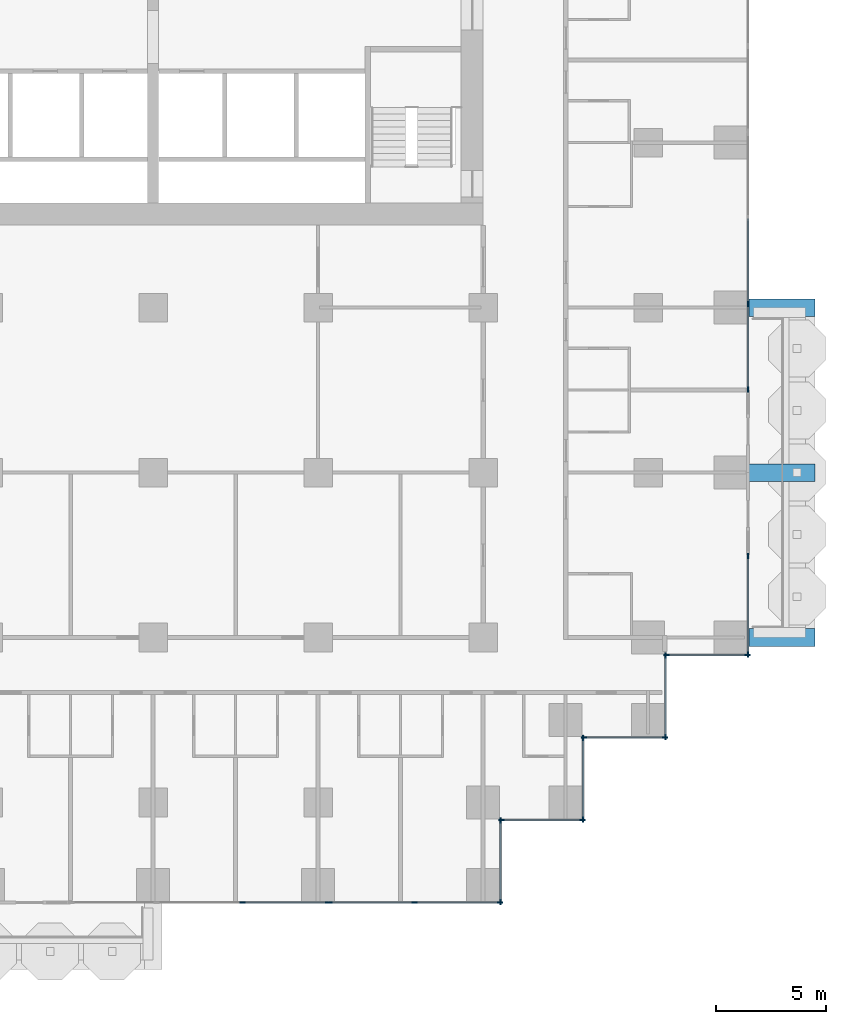
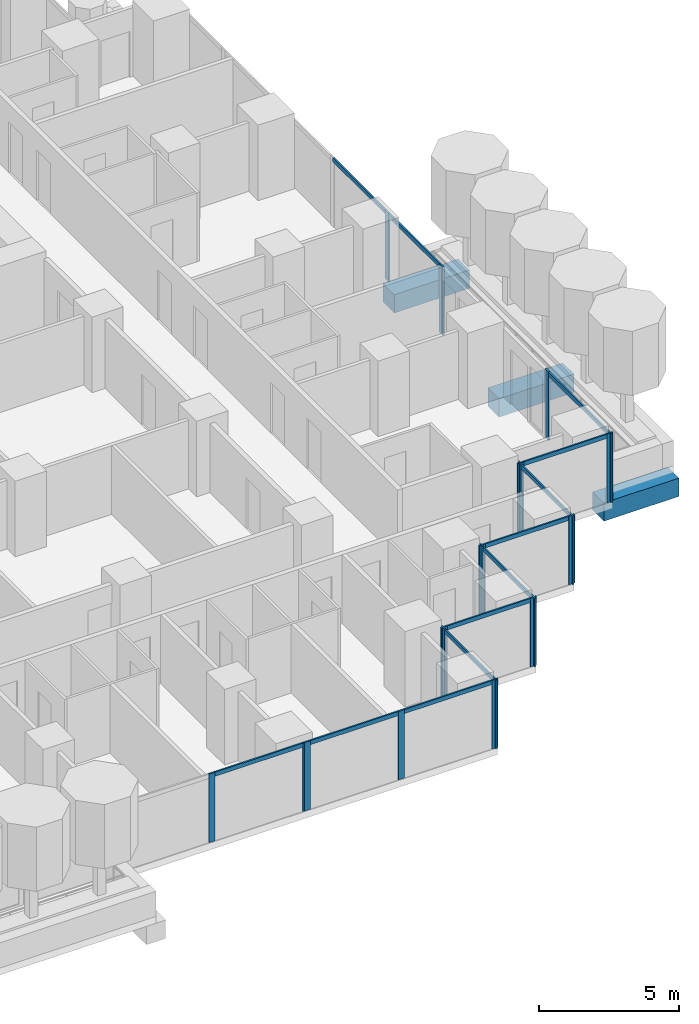
# One storey, part 4 of 19: 33 members, 3 beams, 10 elements without a shape of their own.
"""IFC4 building model written with IfcOpenShell, lengths in metres."""

from ifc_helpers import new_model, si_unit, direction, frame, origin, origin_2d, place, context, subcontext, project, spatial, rectangle, extrude, material, material_profile, profile_set, type_object, element, aggregate, save


model = new_model("IFC4")

# Units and contexts
model_context = context("Model", 3, precision=1e-05, world=origin(), true_north=direction((0.0, 1.0)))
body_context = subcontext(model_context, "Body", "Model", "MODEL_VIEW")
ifc_project = project(units=[si_unit("LENGTHUNIT", "METRE"), si_unit("AREAUNIT", "SQUARE_METRE"), si_unit("VOLUMEUNIT", "CUBIC_METRE"), si_unit("PLANEANGLEUNIT", "RADIAN"), si_unit("MASSUNIT", "GRAM", prefix="KILO")], contexts=[model_context])

# Site, building, storey
site_placement = place(None, origin())
site = spatial("IfcSite", under=ifc_project, at=site_placement, CompositionType="ELEMENT")
building_placement = place(site_placement, origin())
building = spatial("IfcBuilding", under=site, at=building_placement, Name="Pilkhan Gate Tower", CompositionType="ELEMENT")
storey_placement = place(building_placement, frame((0.0, 0.0, 95.60009765625)))
storey = spatial("IfcBuildingStorey", under=building, at=storey_placement, Name="L23", CompositionType="ELEMENT", Elevation=95.60009765625)

# Beams
ifc_material_1 = material(Name="Concrete C50/60", Category="concrete")
ifc_material_profile_1 = material_profile(ifc_material_1, rectangle(XDim=0.800048828125, YDim=0.800048828125, at=origin_2d()), Name="RC 800x800")
ifc_profile_set_1 = profile_set([ifc_material_profile_1], Name="Concrete C50/60")
beam_type = type_object("IfcBeamType", Name="Cantilever beam CB2 RC 800x800 C50/60", PredefinedType="BEAM", material=ifc_profile_set_1)
for number, where, z_axis, x_axis, name in (
    (1, (102.0, 52.5, -0.7001953125), (1.0, 0.0, 0.0), (0.0, 1.0, 0.0), "Balcony beam E.1 L23"),
    (2, (102.0, 60.0, -0.7001953125), (1.0, 0.0, 0.0), (0.0, 1.0, 0.0), "Balcony beam E.2 L23"),
    (3, (102.0, 67.5, -0.7001953125), (1.0, 0.0, 0.0), (0.0, 1.0, 0.0), "Balcony beam E.3 L23"),
):
    element("IfcBeam", number, at=place(storey_placement, frame(where, z_axis=z_axis, x_axis=x_axis)), inside=storey, type_object=beam_type, Name=name, PredefinedType="BEAM", context=body_context, shape_type="SweptSolid", body=[
        extrude(rectangle(XDim=0.800048828125, YDim=0.800048828125, at=origin_2d()), origin(), (0.0, 0.0, 1.0), 3.10009765625),
    ])

# Curtain wall, members
ifc_material_2 = material(Name="Pale anodised aluminium, clear low-iron double glazing", Category="aluminium")
curtain_wall_type = type_object("IfcCurtainWallType", Name="Hotel unitised curtain wall CW-H", PredefinedType="USERDEFINED", material=ifc_material_2)
curtain_wall_1_placement = place(storey_placement, origin())
curtain_wall_1 = element("IfcCurtainWall", 4, at=curtain_wall_1_placement, inside=storey, type_object=curtain_wall_type, Name="Hotel unitised curtain wall CW-H L23 E", ObjectType="UNITISED CURTAIN WALL", PredefinedType="USERDEFINED")
ifc_material_3 = material(Name="Pale anodised aluminium", Category="aluminium")
ifc_material_profile_2 = material_profile(ifc_material_3, rectangle(XDim=0.06494140625, YDim=0.25, at=origin_2d()), Name="Mullion 250x65")
ifc_profile_set_2 = profile_set([ifc_material_profile_2], Name="Pale anodised aluminium")
member_type_1 = type_object("IfcMemberType", Name="Mullion CW-H 250x65", PredefinedType="MULLION", material=ifc_profile_set_2)
member_1_placement = place(storey_placement, frame((102.044921875, 51.737548828125, 0.0), z_axis=(0.0, 0.0, 1.0), x_axis=(-1.0, 0.0, 0.0)))
member_1 = element("IfcMember", 5, at=member_1_placement, type_object=member_type_1, Name="CW-H mullion 1", PredefinedType="MULLION", context=body_context, shape_type="SweptSolid", body=[
    extrude(rectangle(XDim=0.06494140625, YDim=0.25, at=origin_2d()), origin(), (0.0, 0.0, 1.0), 3.0),
])
member_2_placement = place(storey_placement, frame((102.044921875, 56.217529296875, 0.0), z_axis=(0.0, 0.0, 1.0), x_axis=(-1.0, 0.0, 0.0)))
member_2 = element("IfcMember", 6, at=member_2_placement, type_object=member_type_1, Name="CW-H mullion 2", PredefinedType="MULLION", context=body_context, shape_type="SweptSolid", body=[
    extrude(rectangle(XDim=0.06494140625, YDim=0.25, at=origin_2d()), origin(), (0.0, 0.0, 1.0), 3.0),
])

curtain_wall_2_placement = place(storey_placement, origin())
curtain_wall_2 = element("IfcCurtainWall", 7, at=curtain_wall_2_placement, inside=storey, type_object=curtain_wall_type, Name="Hotel unitised curtain wall CW-H L23 E", ObjectType="UNITISED CURTAIN WALL", PredefinedType="USERDEFINED")
member_3_placement = place(storey_placement, frame((102.044921875, 63.782470703125, 0.0), z_axis=(0.0, 0.0, 1.0), x_axis=(-1.0, 0.0, 0.0)))
member_3 = element("IfcMember", 8, at=member_3_placement, type_object=member_type_1, Name="CW-H mullion 1", PredefinedType="MULLION", context=body_context, shape_type="SweptSolid", body=[
    extrude(rectangle(XDim=0.06494140625, YDim=0.25, at=origin_2d()), origin(), (0.0, 0.0, 1.0), 3.0),
])
member_4_placement = place(storey_placement, frame((102.044921875, 67.658935546875, 0.0), z_axis=(0.0, 0.0, 1.0), x_axis=(-1.0, 0.0, 0.0)))
member_4 = element("IfcMember", 9, at=member_4_placement, type_object=member_type_1, Name="CW-H mullion 2", PredefinedType="MULLION", context=body_context, shape_type="SweptSolid", body=[
    extrude(rectangle(XDim=0.06494140625, YDim=0.25, at=origin_2d()), origin(), (0.0, 0.0, 1.0), 3.0),
])

curtain_wall_3_placement = place(storey_placement, origin())
curtain_wall_3 = element("IfcCurtainWall", 10, at=curtain_wall_3_placement, inside=storey, type_object=curtain_wall_type, Name="Hotel unitised curtain wall CW-H L23 S", ObjectType="UNITISED CURTAIN WALL", PredefinedType="USERDEFINED")
member_5_placement = place(storey_placement, frame((79.068115234375, 40.455078125, 0.0), z_axis=(0.0, 0.0, 1.0), x_axis=(0.0, 1.0, 0.0)))
member_5 = element("IfcMember", 11, at=member_5_placement, type_object=member_type_1, Name="CW-H mullion 3", PredefinedType="MULLION", context=body_context, shape_type="SweptSolid", body=[
    extrude(rectangle(XDim=0.06494140625, YDim=0.25, at=origin_2d()), origin(), (0.0, 0.0, 1.0), 3.0),
])
member_6_placement = place(storey_placement, frame((82.944580078125, 40.455078125, 0.0), z_axis=(0.0, 0.0, 1.0), x_axis=(0.0, 1.0, 0.0)))
member_6 = element("IfcMember", 12, at=member_6_placement, type_object=member_type_1, Name="CW-H mullion 4", PredefinedType="MULLION", context=body_context, shape_type="SweptSolid", body=[
    extrude(rectangle(XDim=0.06494140625, YDim=0.25, at=origin_2d()), origin(), (0.0, 0.0, 1.0), 3.0),
])

curtain_wall_4_placement = place(storey_placement, origin())
curtain_wall_4 = element("IfcCurtainWall", 13, at=curtain_wall_4_placement, inside=storey, type_object=curtain_wall_type, Name="Hotel unitised curtain wall CW-H L23 S", ObjectType="UNITISED CURTAIN WALL", PredefinedType="USERDEFINED")
member_7_placement = place(storey_placement, frame((83.009521484375, 40.455078125, 0.0), z_axis=(0.0, 0.0, 1.0), x_axis=(0.0, 1.0, 0.0)))
member_7 = element("IfcMember", 14, at=member_7_placement, type_object=member_type_1, Name="CW-H mullion 1", PredefinedType="MULLION", context=body_context, shape_type="SweptSolid", body=[
    extrude(rectangle(XDim=0.06494140625, YDim=0.25, at=origin_2d()), origin(), (0.0, 0.0, 1.0), 3.0),
])
member_8_placement = place(storey_placement, frame((86.885986328125, 40.455078125, 0.0), z_axis=(0.0, 0.0, 1.0), x_axis=(0.0, 1.0, 0.0)))
member_8 = element("IfcMember", 15, at=member_8_placement, type_object=member_type_1, Name="CW-H mullion 2", PredefinedType="MULLION", context=body_context, shape_type="SweptSolid", body=[
    extrude(rectangle(XDim=0.06494140625, YDim=0.25, at=origin_2d()), origin(), (0.0, 0.0, 1.0), 3.0),
])
member_9_placement = place(storey_placement, frame((90.762451171875, 40.455078125, 0.0), z_axis=(0.0, 0.0, 1.0), x_axis=(0.0, 1.0, 0.0)))
member_9 = element("IfcMember", 16, at=member_9_placement, type_object=member_type_1, Name="CW-H mullion 3", PredefinedType="MULLION", context=body_context, shape_type="SweptSolid", body=[
    extrude(rectangle(XDim=0.06494140625, YDim=0.25, at=origin_2d()), origin(), (0.0, 0.0, 1.0), 3.0),
])

curtain_wall_5_placement = place(storey_placement, origin())
curtain_wall_5 = element("IfcCurtainWall", 17, at=curtain_wall_5_placement, inside=storey, type_object=curtain_wall_type, Name="Hotel unitised curtain wall CW-H L23 E", ObjectType="UNITISED CURTAIN WALL", PredefinedType="USERDEFINED")
member_10_placement = place(storey_placement, frame((90.794921875, 40.487548828125, 0.0), z_axis=(0.0, 0.0, 1.0), x_axis=(-1.0, 0.0, 0.0)))
member_10 = element("IfcMember", 18, at=member_10_placement, type_object=member_type_1, Name="CW-H mullion 1", PredefinedType="MULLION", context=body_context, shape_type="SweptSolid", body=[
    extrude(rectangle(XDim=0.06494140625, YDim=0.25, at=origin_2d()), origin(), (0.0, 0.0, 1.0), 3.0),
])
member_11_placement = place(storey_placement, frame((90.794921875, 44.172607421875, 0.0), z_axis=(0.0, 0.0, 1.0), x_axis=(-1.0, 0.0, 0.0)))
member_11 = element("IfcMember", 19, at=member_11_placement, type_object=member_type_1, Name="CW-H mullion 2", PredefinedType="MULLION", context=body_context, shape_type="SweptSolid", body=[
    extrude(rectangle(XDim=0.06494140625, YDim=0.25, at=origin_2d()), origin(), (0.0, 0.0, 1.0), 3.0),
])

curtain_wall_6_placement = place(storey_placement, origin())
curtain_wall_6 = element("IfcCurtainWall", 20, at=curtain_wall_6_placement, inside=storey, type_object=curtain_wall_type, Name="Hotel unitised curtain wall CW-H L23 S", ObjectType="UNITISED CURTAIN WALL", PredefinedType="USERDEFINED")
member_12_placement = place(storey_placement, frame((90.827392578125, 44.205078125, 0.0), z_axis=(0.0, 0.0, 1.0), x_axis=(0.0, 1.0, 0.0)))
member_12 = element("IfcMember", 21, at=member_12_placement, type_object=member_type_1, Name="CW-H mullion 1", PredefinedType="MULLION", context=body_context, shape_type="SweptSolid", body=[
    extrude(rectangle(XDim=0.06494140625, YDim=0.25, at=origin_2d()), origin(), (0.0, 0.0, 1.0), 3.0),
])
member_13_placement = place(storey_placement, frame((94.512451171875, 44.205078125, 0.0), z_axis=(0.0, 0.0, 1.0), x_axis=(0.0, 1.0, 0.0)))
member_13 = element("IfcMember", 22, at=member_13_placement, type_object=member_type_1, Name="CW-H mullion 2", PredefinedType="MULLION", context=body_context, shape_type="SweptSolid", body=[
    extrude(rectangle(XDim=0.06494140625, YDim=0.25, at=origin_2d()), origin(), (0.0, 0.0, 1.0), 3.0),
])

curtain_wall_7_placement = place(storey_placement, origin())
curtain_wall_7 = element("IfcCurtainWall", 23, at=curtain_wall_7_placement, inside=storey, type_object=curtain_wall_type, Name="Hotel unitised curtain wall CW-H L23 E", ObjectType="UNITISED CURTAIN WALL", PredefinedType="USERDEFINED")
member_14_placement = place(storey_placement, frame((94.544921875, 44.237548828125, 0.0), z_axis=(0.0, 0.0, 1.0), x_axis=(-1.0, 0.0, 0.0)))
member_14 = element("IfcMember", 24, at=member_14_placement, type_object=member_type_1, Name="CW-H mullion 1", PredefinedType="MULLION", context=body_context, shape_type="SweptSolid", body=[
    extrude(rectangle(XDim=0.06494140625, YDim=0.25, at=origin_2d()), origin(), (0.0, 0.0, 1.0), 3.0),
])
member_15_placement = place(storey_placement, frame((94.544921875, 47.922607421875, 0.0), z_axis=(0.0, 0.0, 1.0), x_axis=(-1.0, 0.0, 0.0)))
member_15 = element("IfcMember", 25, at=member_15_placement, type_object=member_type_1, Name="CW-H mullion 2", PredefinedType="MULLION", context=body_context, shape_type="SweptSolid", body=[
    extrude(rectangle(XDim=0.06494140625, YDim=0.25, at=origin_2d()), origin(), (0.0, 0.0, 1.0), 3.0),
])

curtain_wall_8_placement = place(storey_placement, origin())
curtain_wall_8 = element("IfcCurtainWall", 26, at=curtain_wall_8_placement, inside=storey, type_object=curtain_wall_type, Name="Hotel unitised curtain wall CW-H L23 S", ObjectType="UNITISED CURTAIN WALL", PredefinedType="USERDEFINED")
member_16_placement = place(storey_placement, frame((94.577392578125, 47.955078125, 0.0), z_axis=(0.0, 0.0, 1.0), x_axis=(0.0, 1.0, 0.0)))
member_16 = element("IfcMember", 27, at=member_16_placement, type_object=member_type_1, Name="CW-H mullion 1", PredefinedType="MULLION", context=body_context, shape_type="SweptSolid", body=[
    extrude(rectangle(XDim=0.06494140625, YDim=0.25, at=origin_2d()), origin(), (0.0, 0.0, 1.0), 3.0),
])
member_17_placement = place(storey_placement, frame((98.262451171875, 47.955078125, 0.0), z_axis=(0.0, 0.0, 1.0), x_axis=(0.0, 1.0, 0.0)))
member_17 = element("IfcMember", 28, at=member_17_placement, type_object=member_type_1, Name="CW-H mullion 2", PredefinedType="MULLION", context=body_context, shape_type="SweptSolid", body=[
    extrude(rectangle(XDim=0.06494140625, YDim=0.25, at=origin_2d()), origin(), (0.0, 0.0, 1.0), 3.0),
])

curtain_wall_9_placement = place(storey_placement, origin())
curtain_wall_9 = element("IfcCurtainWall", 29, at=curtain_wall_9_placement, inside=storey, type_object=curtain_wall_type, Name="Hotel unitised curtain wall CW-H L23 E", ObjectType="UNITISED CURTAIN WALL", PredefinedType="USERDEFINED")
member_18_placement = place(storey_placement, frame((98.294921875, 47.987548828125, 0.0), z_axis=(0.0, 0.0, 1.0), x_axis=(-1.0, 0.0, 0.0)))
member_18 = element("IfcMember", 30, at=member_18_placement, type_object=member_type_1, Name="CW-H mullion 1", PredefinedType="MULLION", context=body_context, shape_type="SweptSolid", body=[
    extrude(rectangle(XDim=0.06494140625, YDim=0.25, at=origin_2d()), origin(), (0.0, 0.0, 1.0), 3.0),
])
member_19_placement = place(storey_placement, frame((98.294921875, 51.672607421875, 0.0), z_axis=(0.0, 0.0, 1.0), x_axis=(-1.0, 0.0, 0.0)))
member_19 = element("IfcMember", 31, at=member_19_placement, type_object=member_type_1, Name="CW-H mullion 2", PredefinedType="MULLION", context=body_context, shape_type="SweptSolid", body=[
    extrude(rectangle(XDim=0.06494140625, YDim=0.25, at=origin_2d()), origin(), (0.0, 0.0, 1.0), 3.0),
])

curtain_wall_10_placement = place(storey_placement, origin())
curtain_wall_10 = element("IfcCurtainWall", 32, at=curtain_wall_10_placement, inside=storey, type_object=curtain_wall_type, Name="Hotel unitised curtain wall CW-H L23 S", ObjectType="UNITISED CURTAIN WALL", PredefinedType="USERDEFINED")
member_20_placement = place(storey_placement, frame((98.327392578125, 51.705078125, 0.0), z_axis=(0.0, 0.0, 1.0), x_axis=(0.0, 1.0, 0.0)))
member_20 = element("IfcMember", 33, at=member_20_placement, type_object=member_type_1, Name="CW-H mullion 1", PredefinedType="MULLION", context=body_context, shape_type="SweptSolid", body=[
    extrude(rectangle(XDim=0.06494140625, YDim=0.25, at=origin_2d()), origin(), (0.0, 0.0, 1.0), 3.0),
])
member_21_placement = place(storey_placement, frame((102.012451171875, 51.705078125, 0.0), z_axis=(0.0, 0.0, 1.0), x_axis=(0.0, 1.0, 0.0)))
member_21 = element("IfcMember", 34, at=member_21_placement, type_object=member_type_1, Name="CW-H mullion 2", PredefinedType="MULLION", context=body_context, shape_type="SweptSolid", body=[
    extrude(rectangle(XDim=0.06494140625, YDim=0.25, at=origin_2d()), origin(), (0.0, 0.0, 1.0), 3.0),
])

# Member
ifc_material_profile_3 = material_profile(ifc_material_3, rectangle(XDim=0.06494140625, YDim=0.179931640625, at=origin_2d()), Name="Transom 180x65")
ifc_profile_set_3 = profile_set([ifc_material_profile_3], Name="Pale anodised aluminium")
member_type_2 = type_object("IfcMemberType", Name="Transom CW-H 180x65", PredefinedType="USERDEFINED", material=ifc_profile_set_3)
member_22_placement = place(storey_placement, frame((102.044921875, 51.77001953125, 2.909912109375), z_axis=(0.0, 1.0, 0.0), x_axis=(-1.0, 0.0, 0.0)))
member_22 = element("IfcMember", 35, at=member_22_placement, type_object=member_type_2, Name="CW-H transom 1", ObjectType="TRANSOM", PredefinedType="USERDEFINED", context=body_context, shape_type="SweptSolid", body=[
    extrude(rectangle(XDim=0.06494140625, YDim=0.179931640625, at=origin_2d()), origin(), (0.0, 0.0, 1.0), 4.4150390625),
])

aggregate(curtain_wall_1, [member_1, member_2, member_22])

member_23_placement = place(storey_placement, frame((102.044921875, 63.81494140625, 2.909912109375), z_axis=(0.0, 1.0, 0.0), x_axis=(-1.0, 0.0, 0.0)))
member_23 = element("IfcMember", 36, at=member_23_placement, type_object=member_type_2, Name="CW-H transom 1", ObjectType="TRANSOM", PredefinedType="USERDEFINED", context=body_context, shape_type="SweptSolid", body=[
    extrude(rectangle(XDim=0.06494140625, YDim=0.179931640625, at=origin_2d()), origin(), (0.0, 0.0, 1.0), 3.8115234375),
])

member_24_placement = place(storey_placement, frame((102.044921875, 67.69140625, 2.909912109375), z_axis=(0.0, 1.0, 0.0), x_axis=(-1.0, 0.0, 0.0)))
member_24 = element("IfcMember", 37, at=member_24_placement, type_object=member_type_2, Name="CW-H transom 2", ObjectType="TRANSOM", PredefinedType="USERDEFINED", context=body_context, shape_type="SweptSolid", body=[
    extrude(rectangle(XDim=0.06494140625, YDim=0.179931640625, at=origin_2d()), origin(), (0.0, 0.0, 1.0), 3.843994140625),
])

aggregate(curtain_wall_2, [member_3, member_4, member_23, member_24])

member_25_placement = place(storey_placement, frame((79.1005859375, 40.455078125, 2.909912109375), z_axis=(1.0, 0.0, 0.0), x_axis=(0.0, 1.0, 0.0)))
member_25 = element("IfcMember", 38, at=member_25_placement, type_object=member_type_2, Name="CW-H transom 3", ObjectType="TRANSOM", PredefinedType="USERDEFINED", context=body_context, shape_type="SweptSolid", body=[
    extrude(rectangle(XDim=0.06494140625, YDim=0.179931640625, at=origin_2d()), origin(), (0.0, 0.0, 1.0), 3.8115234375),
])

aggregate(curtain_wall_3, [member_5, member_6, member_25])

member_26_placement = place(storey_placement, frame((83.0419921875, 40.455078125, 2.909912109375), z_axis=(1.0, 0.0, 0.0), x_axis=(0.0, 1.0, 0.0)))
member_26 = element("IfcMember", 39, at=member_26_placement, type_object=member_type_2, Name="CW-H transom 1", ObjectType="TRANSOM", PredefinedType="USERDEFINED", context=body_context, shape_type="SweptSolid", body=[
    extrude(rectangle(XDim=0.06494140625, YDim=0.179931640625, at=origin_2d()), origin(), (0.0, 0.0, 1.0), 3.8115234375),
])

member_27_placement = place(storey_placement, frame((86.91845703125, 40.455078125, 2.909912109375), z_axis=(1.0, 0.0, 0.0), x_axis=(0.0, 1.0, 0.0)))
member_27 = element("IfcMember", 40, at=member_27_placement, type_object=member_type_2, Name="CW-H transom 2", ObjectType="TRANSOM", PredefinedType="USERDEFINED", context=body_context, shape_type="SweptSolid", body=[
    extrude(rectangle(XDim=0.06494140625, YDim=0.179931640625, at=origin_2d()), origin(), (0.0, 0.0, 1.0), 3.8115234375),
])

aggregate(curtain_wall_4, [member_7, member_8, member_9, member_26, member_27])

member_28_placement = place(storey_placement, frame((90.794921875, 40.52001953125, 2.909912109375), z_axis=(0.0, 1.0, 0.0), x_axis=(-1.0, 0.0, 0.0)))
member_28 = element("IfcMember", 41, at=member_28_placement, type_object=member_type_2, Name="CW-H transom 1", ObjectType="TRANSOM", PredefinedType="USERDEFINED", context=body_context, shape_type="SweptSolid", body=[
    extrude(rectangle(XDim=0.06494140625, YDim=0.179931640625, at=origin_2d()), origin(), (0.0, 0.0, 1.0), 3.619873046875),
])

aggregate(curtain_wall_5, [member_10, member_11, member_28])

member_29_placement = place(storey_placement, frame((90.860107421875, 44.205078125, 2.909912109375), z_axis=(1.0, 0.0, 0.0), x_axis=(0.0, 1.0, 0.0)))
member_29 = element("IfcMember", 42, at=member_29_placement, type_object=member_type_2, Name="CW-H transom 1", ObjectType="TRANSOM", PredefinedType="USERDEFINED", context=body_context, shape_type="SweptSolid", body=[
    extrude(rectangle(XDim=0.06494140625, YDim=0.179931640625, at=origin_2d()), origin(), (0.0, 0.0, 1.0), 3.619873046875),
])

aggregate(curtain_wall_6, [member_12, member_13, member_29])

member_30_placement = place(storey_placement, frame((94.544921875, 44.27001953125, 2.909912109375), z_axis=(0.0, 1.0, 0.0), x_axis=(-1.0, 0.0, 0.0)))
member_30 = element("IfcMember", 43, at=member_30_placement, type_object=member_type_2, Name="CW-H transom 1", ObjectType="TRANSOM", PredefinedType="USERDEFINED", context=body_context, shape_type="SweptSolid", body=[
    extrude(rectangle(XDim=0.06494140625, YDim=0.179931640625, at=origin_2d()), origin(), (0.0, 0.0, 1.0), 3.619873046875),
])

aggregate(curtain_wall_7, [member_14, member_15, member_30])

member_31_placement = place(storey_placement, frame((94.610107421875, 47.955078125, 2.909912109375), z_axis=(1.0, 0.0, 0.0), x_axis=(0.0, 1.0, 0.0)))
member_31 = element("IfcMember", 44, at=member_31_placement, type_object=member_type_2, Name="CW-H transom 1", ObjectType="TRANSOM", PredefinedType="USERDEFINED", context=body_context, shape_type="SweptSolid", body=[
    extrude(rectangle(XDim=0.06494140625, YDim=0.179931640625, at=origin_2d()), origin(), (0.0, 0.0, 1.0), 3.619873046875),
])

aggregate(curtain_wall_8, [member_16, member_17, member_31])

member_32_placement = place(storey_placement, frame((98.294921875, 48.02001953125, 2.909912109375), z_axis=(0.0, 1.0, 0.0), x_axis=(-1.0, 0.0, 0.0)))
member_32 = element("IfcMember", 45, at=member_32_placement, type_object=member_type_2, Name="CW-H transom 1", ObjectType="TRANSOM", PredefinedType="USERDEFINED", context=body_context, shape_type="SweptSolid", body=[
    extrude(rectangle(XDim=0.06494140625, YDim=0.179931640625, at=origin_2d()), origin(), (0.0, 0.0, 1.0), 3.619873046875),
])

aggregate(curtain_wall_9, [member_18, member_19, member_32])

member_33_placement = place(storey_placement, frame((98.360107421875, 51.705078125, 2.909912109375), z_axis=(1.0, 0.0, 0.0), x_axis=(0.0, 1.0, 0.0)))
member_33 = element("IfcMember", 46, at=member_33_placement, type_object=member_type_2, Name="CW-H transom 1", ObjectType="TRANSOM", PredefinedType="USERDEFINED", context=body_context, shape_type="SweptSolid", body=[
    extrude(rectangle(XDim=0.06494140625, YDim=0.179931640625, at=origin_2d()), origin(), (0.0, 0.0, 1.0), 3.619873046875),
])

aggregate(curtain_wall_10, [member_20, member_21, member_33])

save(model, "model.ifc")
